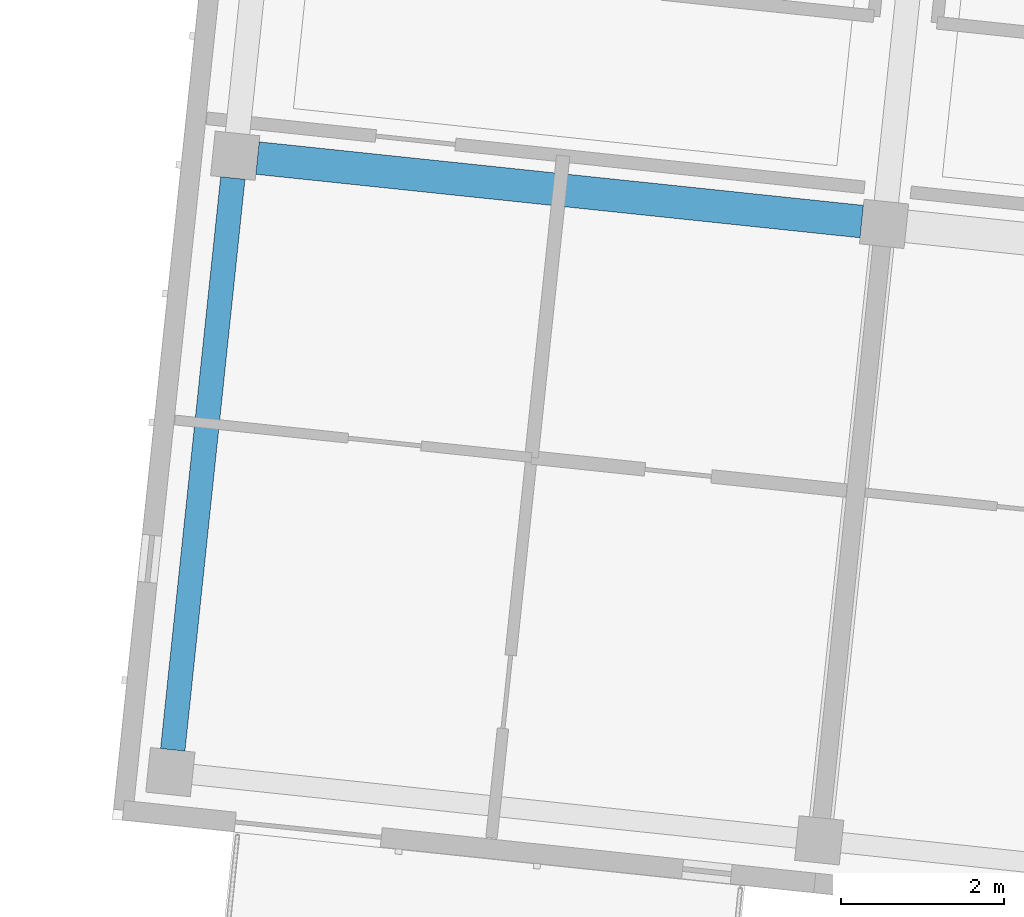
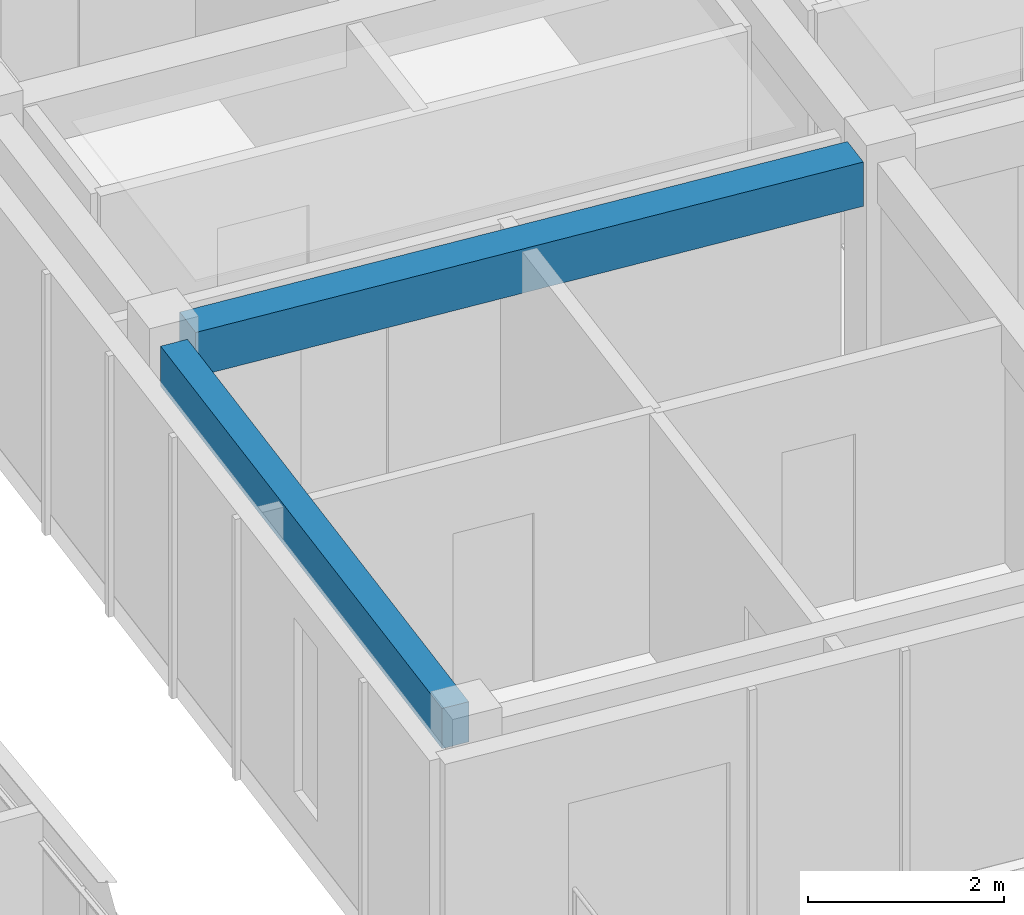
# One storey, part 53 of 127: 2 beams.
"""IFC4 building model written with IfcOpenShell, lengths in metres."""

from ifc_helpers import new_model, si_unit, direction, frame, origin, origin_2d, place, context, subcontext, project, spatial, rectangle, extrude, material, material_profile, profile_set, type_object, element, save


model = new_model("IFC4")

# Units and contexts
model_context = context("Model", 3, precision=1e-05, world=origin(), true_north=direction((0.0, 1.0)))
body_context = subcontext(model_context, "Body", "Model", "MODEL_VIEW")
ifc_project = project(units=[si_unit("LENGTHUNIT", "METRE"), si_unit("AREAUNIT", "SQUARE_METRE"), si_unit("VOLUMEUNIT", "CUBIC_METRE"), si_unit("PLANEANGLEUNIT", "RADIAN"), si_unit("MASSUNIT", "GRAM", prefix="KILO")], contexts=[model_context])

# Site, building, storey
site_placement = place(None, origin())
site = spatial("IfcSite", under=ifc_project, at=site_placement, CompositionType="ELEMENT")
building_placement = place(site_placement, origin())
building = spatial("IfcBuilding", under=site, at=building_placement, Name="Kestramere Prow Commons", CompositionType="ELEMENT")
storey_placement = place(building_placement, frame((0.0, 0.0, 8.39990234375)))
storey = spatial("IfcBuildingStorey", under=building, at=storey_placement, Name="L02", CompositionType="ELEMENT", Elevation=8.39990234375)

# Beams
ifc_material = material(Name="Precast concrete C40/50", Category="concrete")
ifc_material_profile_1 = material_profile(ifc_material, rectangle(XDim=0.39990234375, YDim=0.550048828125, at=origin_2d()), Name="PC-BM 400x550")
ifc_profile_set_1 = profile_set([ifc_material_profile_1], Name="Precast concrete C40/50")
beam_type_1 = type_object("IfcBeamType", Name="BM-B1 PC-BM 400x550", PredefinedType="BEAM", material=ifc_profile_set_1)
beam_1_placement = place(storey_placement, frame((111.06787109375, 102.32958984375, 2.72509765625), z_axis=(0.994520884665, -0.104538079019, 0.0), x_axis=(0.104538079019, 0.994520884665, 0.0)))
element("IfcBeam", 1, at=beam_1_placement, inside=storey, type_object=beam_type_1, Name="Block B L02 Longitudinal Beam 2-1", PredefinedType="BEAM", context=body_context, shape_type="SweptSolid", body=[
    extrude(rectangle(XDim=0.39990234375, YDim=0.550048828125, at=origin_2d()), origin(), (0.0, 0.0, 1.0), 7.449951171875),
])
ifc_material_profile_2 = material_profile(ifc_material, rectangle(XDim=0.300048828125, YDim=0.5, at=origin_2d()), Name="PC-BM 300x500")
ifc_profile_set_2 = profile_set([ifc_material_profile_2], Name="Precast concrete C40/50")
beam_type_2 = type_object("IfcBeamType", Name="BM-TIE-01 PC-BM 300x500", PredefinedType="BEAM", material=ifc_profile_set_2)
beam_2_placement = place(storey_placement, frame((110.02880859375, 95.073486328125, 2.75), z_axis=(0.104511730475, 0.994523653913, 0.0), x_axis=(-0.994523653913, 0.104511730475, 0.0)))
element("IfcBeam", 2, at=beam_2_placement, inside=storey, type_object=beam_type_2, Name="Block B L02 Transverse Beam 1-1", PredefinedType="BEAM", context=body_context, shape_type="SweptSolid", body=[
    extrude(rectangle(XDim=0.300048828125, YDim=0.5, at=origin_2d()), origin(), (0.0, 0.0, 1.0), 7.050048828125),
])

save(model, "model.ifc")
